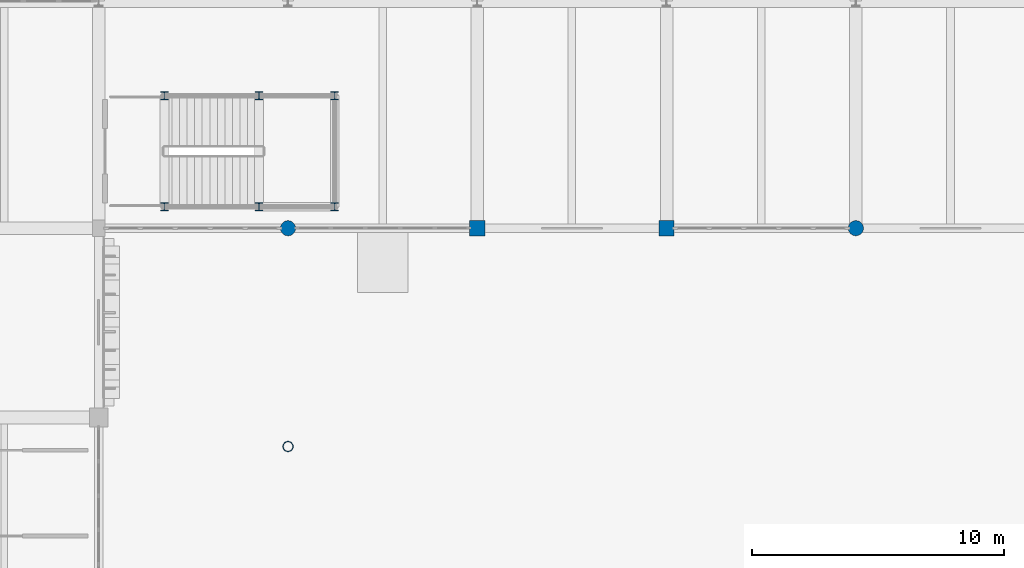
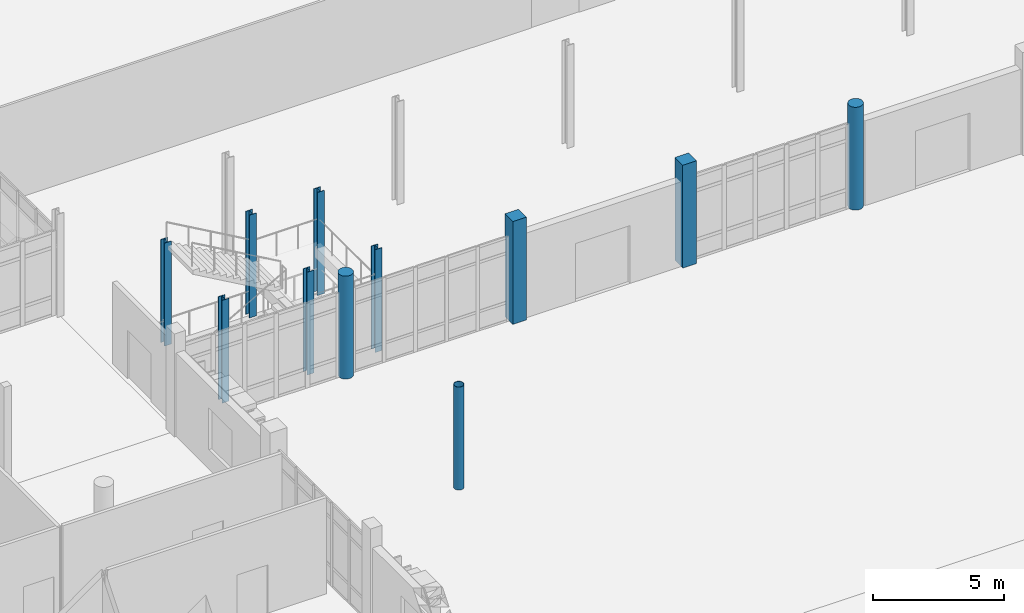
# One storey, part 4 of 125: 11 columns.
"""IFC4 building model written with IfcOpenShell, lengths in metres."""

from ifc_helpers import new_model, si_unit, direction, frame, origin, origin_2d, place, context, subcontext, project, spatial, rectangle, circle, hollow_circle, i_section, extrude, material, material_profile, profile_set, type_object, element, save


model = new_model("IFC4")

# Units and contexts
model_context = context("Model", 3, precision=1e-05, world=origin(), true_north=direction((0.0, 1.0)))
body_context = subcontext(model_context, "Body", "Model", "MODEL_VIEW")
ifc_project = project(units=[si_unit("LENGTHUNIT", "METRE"), si_unit("AREAUNIT", "SQUARE_METRE"), si_unit("VOLUMEUNIT", "CUBIC_METRE"), si_unit("PLANEANGLEUNIT", "RADIAN"), si_unit("MASSUNIT", "GRAM", prefix="KILO")], contexts=[model_context])

# Site, building, storey
site_placement = place(None, origin())
site = spatial("IfcSite", under=ifc_project, at=site_placement, CompositionType="ELEMENT")
building_placement = place(site_placement, origin())
building = spatial("IfcBuilding", under=site, at=building_placement, Name="Dalvernix Boulevard General Hospital", CompositionType="ELEMENT")
storey_placement = place(building_placement, origin())
storey = spatial("IfcBuildingStorey", under=building, at=storey_placement, Name="L00", CompositionType="ELEMENT", Elevation=0.0)

# Columns
ifc_material_1 = material(Name="Concrete C40/50", Category="concrete")
ifc_material_profile_1 = material_profile(ifc_material_1, rectangle(XDim=0.60009765625, YDim=0.60009765625, at=origin_2d()), Name="RC 600x600")
ifc_profile_set_1 = profile_set([ifc_material_profile_1], Name="Concrete C40/50")
column_type_1 = type_object("IfcColumnType", Name="COL-C-07-E", PredefinedType="COLUMN", material=ifc_profile_set_1)
for number, where, z_axis, x_axis, name in (
    (1, (75.0, 22.5, 0.0), (0.0, 0.0, 1.0), (1.0, 0.0, 0.0), "L00 column 11D"),
    (2, (82.5, 22.5, 0.0), (0.0, 0.0, 1.0), (1.0, 0.0, 0.0), "L00 column 12D"),
):
    element("IfcColumn", number, at=place(storey_placement, frame(where, z_axis=z_axis, x_axis=x_axis)), inside=storey, type_object=column_type_1, Name=name, PredefinedType="COLUMN", context=body_context, shape_type="SweptSolid", body=[
        extrude(rectangle(XDim=0.60009765625, YDim=0.60009765625, at=origin_2d()), origin(), (0.0, 0.0, 1.0), 4.800048828125),
    ])
ifc_material_profile_2 = material_profile(ifc_material_1, circle(Radius=0.300048828125, at=origin_2d()), Name="RC D600")
ifc_profile_set_2 = profile_set([ifc_material_profile_2], Name="Concrete C40/50")
column_type_2 = type_object("IfcColumnType", Name="COL-C-15-E", PredefinedType="COLUMN", material=ifc_profile_set_2)
for number, where, z_axis, x_axis, name in (
    (3, (67.5, 22.5, 0.0), (0.0, 0.0, 1.0), (1.0, 0.0, 0.0), "L00 column 10D"),
    (4, (90.0, 22.5, 0.0), (0.0, 0.0, 1.0), (1.0, 0.0, 0.0), "L00 column 13D"),
):
    element("IfcColumn", number, at=place(storey_placement, frame(where, z_axis=z_axis, x_axis=x_axis)), inside=storey, type_object=column_type_2, Name=name, PredefinedType="COLUMN", context=body_context, shape_type="SweptSolid", body=[
        extrude(circle(Radius=0.300048828125, at=origin_2d()), origin(), (0.0, 0.0, 1.0), 4.800048828125),
    ])
ifc_material_2 = material(Name="Steel S355", Category="steel")
ifc_material_profile_3 = material_profile(ifc_material_2, i_section(OverallWidth=0.300048828125, OverallDepth=0.300048828125, WebThickness=0.010986328125, FlangeThickness=0.01904296875, FilletRadius=0.027099609375, at=origin_2d()), Name="HEB 300")
ifc_profile_set_3 = profile_set([ifc_material_profile_3], Name="Steel S355")
column_type_3 = type_object("IfcColumnType", Name="COL-C-18", PredefinedType="COLUMN", material=ifc_profile_set_3)
for number, where, z_axis, x_axis, name in (
    (5, (62.60009765625, 23.35009765625, 0.0), (0.0, 0.0, 1.0), (1.0, 0.0, 0.0), "L00 Monumental Stair ST-07 column 1"),
    (6, (66.35009765625, 23.35009765625, 0.0), (0.0, 0.0, 1.0), (1.0, 0.0, 0.0), "L00 Monumental Stair ST-07 column 2"),
    (7, (69.35009765625, 23.35009765625, 0.0), (0.0, 0.0, 1.0), (1.0, 0.0, 0.0), "L00 Monumental Stair ST-07 column 3"),
    (8, (62.60009765625, 27.75, 0.0), (0.0, 0.0, 1.0), (1.0, 0.0, 0.0), "L00 Monumental Stair ST-07 column 4"),
    (9, (66.35009765625, 27.75, 0.0), (0.0, 0.0, 1.0), (1.0, 0.0, 0.0), "L00 Monumental Stair ST-07 column 5"),
    (10, (69.35009765625, 27.75, 0.0), (0.0, 0.0, 1.0), (1.0, 0.0, 0.0), "L00 Monumental Stair ST-07 column 6"),
):
    element("IfcColumn", number, at=place(storey_placement, frame(where, z_axis=z_axis, x_axis=x_axis)), inside=storey, type_object=column_type_3, Name=name, PredefinedType="COLUMN", context=body_context, shape_type="SweptSolid", body=[
        extrude(i_section(OverallWidth=0.300048828125, OverallDepth=0.300048828125, WebThickness=0.010986328125, FlangeThickness=0.01904296875, FilletRadius=0.027099609375, at=origin_2d()), origin(), (0.0, 0.0, 1.0), 4.800048828125),
    ])
ifc_material_profile_4 = material_profile(ifc_material_2, hollow_circle(Radius=0.203125, WallThickness=0.01611328125, at=origin_2d()), Name="CHS 406.4x16.0")
ifc_profile_set_4 = profile_set([ifc_material_profile_4], Name="Steel S355")
column_type_4 = type_object("IfcColumnType", Name="COL-C-19", PredefinedType="COLUMN", material=ifc_profile_set_4)
column_placement = place(storey_placement, frame((67.5, 13.85009765625, 0.0), z_axis=(0.0, 0.0, 1.0), x_axis=(1.0, 0.0, 0.0)))
element("IfcColumn", 11, at=column_placement, inside=storey, type_object=column_type_4, Name="L00 Porte-cochere corner steel pylon L00-1", PredefinedType="COLUMN", context=body_context, shape_type="SweptSolid", body=[
    extrude(hollow_circle(Radius=0.203125, WallThickness=0.01611328125, at=origin_2d()), origin(), (0.0, 0.0, 1.0), 4.800048828125),
])

save(model, "model.ifc")
